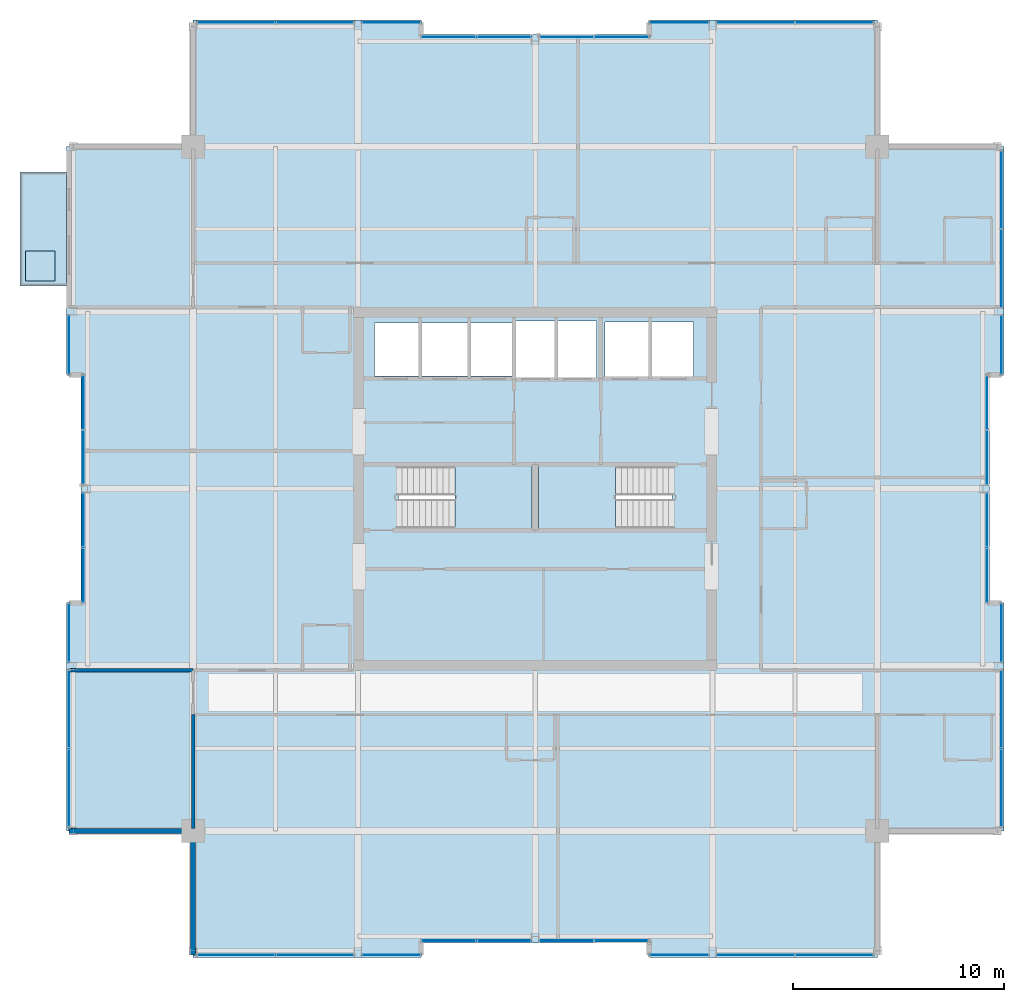
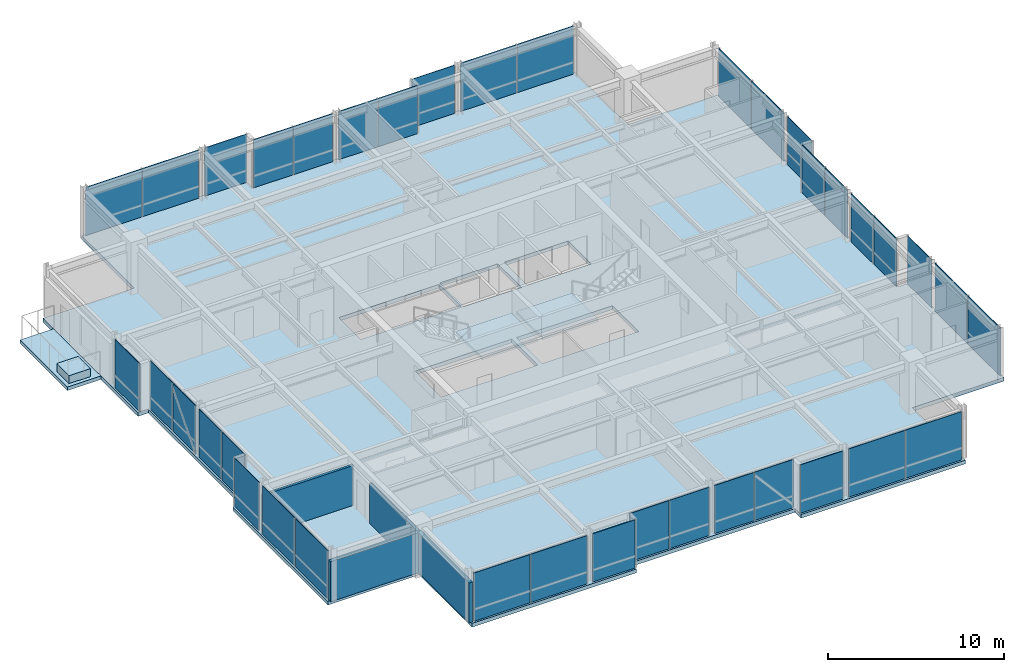
# One storey, part 27 of 33: 38 plates, 5 slabs, 4 walls, 25 elements without a shape of their own.
"""IFC4 building model written with IfcOpenShell, lengths in metres."""

from ifc_helpers import new_model, si_unit, direction, frame, frame_2d, origin, origin_2d, place, context, subcontext, project, spatial, polyline, rectangle, outline, extrude, material, layer, layer_set, type_object, element, aggregate, save


model = new_model("IFC4")

# Units and contexts
model_context = context("Model", 3, precision=1e-05, world=origin(), true_north=direction((0.0, 1.0)))
body_context = subcontext(model_context, "Body", "Model", "MODEL_VIEW")
ifc_project = project(units=[si_unit("LENGTHUNIT", "METRE"), si_unit("AREAUNIT", "SQUARE_METRE"), si_unit("VOLUMEUNIT", "CUBIC_METRE"), si_unit("PLANEANGLEUNIT", "RADIAN"), si_unit("MASSUNIT", "GRAM", prefix="KILO")], contexts=[model_context])

# Site, building, storey
site_placement = place(None, origin())
site = spatial("IfcSite", under=ifc_project, at=site_placement, CompositionType="ELEMENT")
building_placement = place(site_placement, origin())
building = spatial("IfcBuilding", under=site, at=building_placement, Name="Drelvath Grand Hotel", CompositionType="ELEMENT")
storey_placement = place(building_placement, frame((0.0, 0.0, 279.60009765625)))
storey = spatial("IfcBuildingStorey", under=building, at=storey_placement, Name="L73", CompositionType="ELEMENT", Elevation=279.60009765625)

# Slabs
ifc_material_1 = material(Name="Concrete f'c 40 MPa", Category="concrete")
ifc_layer_1 = layer(ifc_material_1, 0.239990234375)
ifc_layer_set_1 = layer_set([ifc_layer_1], Name="Concrete f'c 40 MPa")
slab_type_1 = type_object("IfcSlabType", Name="Cantilevered Tree Balcony Slab 240", PredefinedType="FLOOR", material=ifc_layer_set_1)
slab_1_placement = place(storey_placement, frame((0.0, 0.0, -0.239990234375)))
element("IfcSlab", 1, at=slab_1_placement, inside=storey, type_object=slab_type_1, Name="L73 Cantilevered Tree Balcony Slab 1", PredefinedType="FLOOR", context=body_context, shape_type="SweptSolid", body=[
    extrude(outline(polyline([(-24.39990234375, 36.60009765625), (-22.199951171875, 36.60009765625), (-22.199951171875, 42.0), (-24.39990234375, 42.0), (-24.39990234375, 36.60009765625)])), origin(), (0.0, 0.0, 1.0), 0.239990234375),
])
ifc_layer_2 = layer(ifc_material_1, 0.260009765625)
ifc_layer_set_2 = layer_set([ifc_layer_2], Name="Concrete f'c 40 MPa")
slab_type_2 = type_object("IfcSlabType", Name="Composite RC Floor Slab 260", PredefinedType="FLOOR", material=ifc_layer_set_2)
slab_2_placement = place(storey_placement, frame((0.0, 0.0, -0.260009765625)))
element("IfcSlab", 2, at=slab_2_placement, inside=storey, type_object=slab_type_2, Name="L73 Structural Floor Slab", PredefinedType="FLOOR", context=body_context, shape_type="SweptSolid", body=[
    extrude(outline(polyline([(-16.199951171875, 4.800048828125), (-5.39990234375, 4.800048828125), (-5.39990234375, 5.47998046875), (5.39990234375, 5.47998046875), (5.39990234375, 4.800048828125), (16.199951171875, 4.800048828125), (16.199951171875, 10.800048828125), (22.199951171875, 10.800048828125), (22.199951171875, 21.60009765625), (21.52001953125, 21.60009765625), (21.52001953125, 32.39990234375), (22.199951171875, 32.39990234375), (22.199951171875, 43.199951171875), (16.199951171875, 43.199951171875), (16.199951171875, 49.199951171875), (5.39990234375, 49.199951171875), (5.39990234375, 48.52001953125), (-5.39990234375, 48.52001953125), (-5.39990234375, 49.199951171875), (-16.199951171875, 49.199951171875), (-16.199951171875, 43.199951171875), (-22.199951171875, 43.199951171875), (-22.199951171875, 32.39990234375), (-21.52001953125, 32.39990234375), (-21.52001953125, 21.60009765625), (-22.199951171875, 21.60009765625), (-22.199951171875, 10.800048828125), (-16.199951171875, 10.800048828125), (-16.199951171875, 4.800048828125)]), holes=[polyline([(-6.47998046875, 25.1201171875), (-6.47998046875, 28.080078125), (-0.14990234375, 28.080078125), (-0.14990234375, 25.1201171875), (-6.47998046875, 25.1201171875)]), polyline([(0.14990234375, 25.1201171875), (0.14990234375, 28.080078125), (6.47998046875, 28.080078125), (6.47998046875, 25.1201171875), (0.14990234375, 25.1201171875)]), polyline([(-7.60009765625, 32.35009765625), (-7.60009765625, 34.85009765625), (-1.02001953125, 34.85009765625), (-1.02001953125, 32.35009765625), (-7.60009765625, 32.35009765625)]), polyline([(-0.89990234375, 32.25), (-0.89990234375, 34.949951171875), (2.89990234375, 34.949951171875), (2.89990234375, 32.25), (-0.89990234375, 32.25)]), polyline([(3.300048828125, 32.300048828125), (3.300048828125, 34.89990234375), (7.5, 34.89990234375), (7.5, 32.300048828125), (3.300048828125, 32.300048828125)])]), origin(), (0.0, 0.0, 1.0), 0.260009765625),
])

# Stair, slab
ifc_material_2 = material(Name="Concrete C40/50", Category="concrete")
stair_type = type_object("IfcStairType", Name="Dogleg Exit Stair W1400-R165.9", PredefinedType="HALF_TURN_STAIR", material=ifc_material_2)
stair_1_placement = place(storey_placement, origin())
stair_1 = element("IfcStair", 3, at=stair_1_placement, inside=storey, type_object=stair_type, Name="L73 Core Exit Stair ST-1", PredefinedType="HALF_TURN_STAIR")
ifc_layer_3 = layer(ifc_material_2, 0.199951171875)
ifc_layer_set_3 = layer_set([ifc_layer_3], Name="Concrete C40/50")
slab_type_3 = type_object("IfcSlabType", Name="Concrete Stair Landing Slab 200", PredefinedType="LANDING", material=ifc_layer_set_3)
slab_3_placement = place(storey_placement, frame((0.0, 0.0, 1.625)))
slab_3 = element("IfcSlab", 4, at=slab_3_placement, type_object=slab_type_3, Name="ST-1 landing 1", PredefinedType="LANDING", context=body_context, shape_type="SweptSolid", body=[
    extrude(outline(polyline([(-3.800048828125, 25.1201171875), (-0.14990234375, 25.1201171875), (-0.14990234375, 28.080078125), (-3.800048828125, 28.080078125), (-3.800048828125, 25.1201171875)])), origin(), (0.0, 0.0, 1.0), 0.199951171875),
])
aggregate(stair_1, [slab_3])

stair_2_placement = place(storey_placement, origin())
stair_2 = element("IfcStair", 5, at=stair_2_placement, inside=storey, type_object=stair_type, Name="L73 Core Exit Stair ST-2", PredefinedType="HALF_TURN_STAIR")
slab_4_placement = place(storey_placement, frame((0.0, 0.0, 1.625)))
slab_4 = element("IfcSlab", 6, at=slab_4_placement, type_object=slab_type_3, Name="ST-2 landing 1", PredefinedType="LANDING", context=body_context, shape_type="SweptSolid", body=[
    extrude(outline(polyline([(3.800048828125, 28.080078125), (0.14990234375, 28.080078125), (0.14990234375, 25.1201171875), (3.800048828125, 25.1201171875), (3.800048828125, 28.080078125)])), origin(), (0.0, 0.0, 1.0), 0.199951171875),
])
aggregate(stair_2, [slab_4])

# Curtain wall, plates
ifc_material_3 = material(Name="Platinum-Mist Anodised Aluminium Frame", Category="aluminium")
ifc_layer_4 = layer(ifc_material_3, 0.199951171875)
ifc_layer_set_4 = layer_set([ifc_layer_4], Name="Platinum-Mist Anodised Aluminium Frame")
curtain_wall_type = type_object("IfcCurtainWallType", Name="Stick Curtain Wall CW-05 Platinum Mist High-Rise", PredefinedType="NOTDEFINED", material=ifc_layer_set_4)
curtain_wall_1_placement = place(storey_placement, origin())
curtain_wall_1 = element("IfcCurtainWall", 7, at=curtain_wall_1_placement, inside=storey, type_object=curtain_wall_type, Name="L73 CW-05 Curtain Wall CW05-L73-WS1", PredefinedType="NOTDEFINED")
ifc_material_4 = material(Name="Low-E Triple Silver High-Altitude Glass", Category="glass")
ifc_layer_5 = layer(ifc_material_4, 0.035888671875)
ifc_layer_set_5 = layer_set([ifc_layer_5], Name="Low-E Triple Silver High-Altitude Glass")
plate_type = type_object("IfcPlateType", Name="Curtain Wall Vision Panel CW-05 36mm", PredefinedType="CURTAIN_PANEL", material=ifc_layer_set_5)
plate_1_placement = place(storey_placement, frame((-22.080078125, 12.835205078125, 0.019775390625), z_axis=(0.0, 0.0, 1.0), x_axis=(0.0, 1.0, 0.0)))
plate_1 = element("IfcPlate", 8, at=plate_1_placement, type_object=plate_type, Name="CW05-L73-WS1 Glazed Panel 1", PredefinedType="CURTAIN_PANEL", context=body_context, shape_type="SweptSolid", body=[
    extrude(rectangle(XDim=3.68994140625, YDim=0.035888671875, at=origin_2d()), origin(), (0.0, 0.0, 1.0), 3.35009765625),
])
plate_2_placement = place(storey_placement, frame((-22.080078125, 16.56494140625, 0.019775390625), z_axis=(0.0, 0.0, 1.0), x_axis=(0.0, 1.0, 0.0)))
plate_2 = element("IfcPlate", 9, at=plate_2_placement, type_object=plate_type, Name="CW05-L73-WS1 Glazed Panel 2", PredefinedType="CURTAIN_PANEL", context=body_context, shape_type="SweptSolid", body=[
    extrude(rectangle(XDim=3.68994140625, YDim=0.035888671875, at=origin_2d()), origin(), (0.0, 0.0, 1.0), 3.35009765625),
])
aggregate(curtain_wall_1, [plate_1, plate_2])

# Curtain wall, plate
curtain_wall_2_placement = place(storey_placement, origin())
curtain_wall_2 = element("IfcCurtainWall", 10, at=curtain_wall_2_placement, inside=storey, type_object=curtain_wall_type, Name="L73 CW-05 Curtain Wall CW05-L73-WS2", PredefinedType="NOTDEFINED")
plate_3_placement = place(storey_placement, frame((-22.080078125, 20.18505859375, 0.019775390625), z_axis=(0.0, 0.0, 1.0), x_axis=(0.0, 1.0, 0.0)))
plate_3 = element("IfcPlate", 11, at=plate_3_placement, type_object=plate_type, Name="CW05-L73-WS2 Glazed Panel 1", PredefinedType="CURTAIN_PANEL", context=body_context, shape_type="SweptSolid", body=[
    extrude(rectangle(XDim=2.789794921875, YDim=0.035888671875, at=origin_2d()), origin(), (0.0, 0.0, 1.0), 3.35009765625),
])
aggregate(curtain_wall_2, [plate_3])

# Curtain wall, plates
curtain_wall_3_placement = place(storey_placement, origin())
curtain_wall_3 = element("IfcCurtainWall", 12, at=curtain_wall_3_placement, inside=storey, type_object=curtain_wall_type, Name="L73 CW-05 Curtain Wall CW05-L73-WM1", PredefinedType="NOTDEFINED")
plate_4_placement = place(storey_placement, frame((-21.39990234375, 22.907470703125, 0.019775390625), z_axis=(0.0, 0.0, 1.0), x_axis=(0.0, 1.0, 0.0)))
plate_4 = element("IfcPlate", 13, at=plate_4_placement, type_object=plate_type, Name="CW05-L73-WM1 Glazed Panel 1", PredefinedType="CURTAIN_PANEL", context=body_context, shape_type="SweptSolid", body=[
    extrude(rectangle(XDim=2.574951171875, YDim=0.035888671875, at=origin_2d()), origin(), (0.0, 0.0, 1.0), 3.35009765625),
])
plate_5_placement = place(storey_placement, frame((-21.39990234375, 25.5224609375, 0.019775390625), z_axis=(0.0, 0.0, 1.0), x_axis=(0.0, 1.0, 0.0)))
plate_5 = element("IfcPlate", 14, at=plate_5_placement, type_object=plate_type, Name="CW05-L73-WM1 Glazed Panel 2", PredefinedType="CURTAIN_PANEL", context=body_context, shape_type="SweptSolid", body=[
    extrude(rectangle(XDim=2.574951171875, YDim=0.035888671875, at=origin_2d()), origin(), (0.0, 0.0, 1.0), 3.35009765625),
])
aggregate(curtain_wall_3, [plate_4, plate_5])

curtain_wall_4_placement = place(storey_placement, origin())
curtain_wall_4 = element("IfcCurtainWall", 15, at=curtain_wall_4_placement, inside=storey, type_object=curtain_wall_type, Name="L73 CW-05 Curtain Wall CW05-L73-WM2", PredefinedType="NOTDEFINED")
plate_6_placement = place(storey_placement, frame((-21.39990234375, 28.4775390625, 0.019775390625), z_axis=(0.0, 0.0, 1.0), x_axis=(0.0, 1.0, 0.0)))
plate_6 = element("IfcPlate", 16, at=plate_6_placement, type_object=plate_type, Name="CW05-L73-WM2 Glazed Panel 1", PredefinedType="CURTAIN_PANEL", context=body_context, shape_type="SweptSolid", body=[
    extrude(rectangle(XDim=2.574951171875, YDim=0.035888671875, at=origin_2d()), origin(), (0.0, 0.0, 1.0), 3.35009765625),
])
plate_7_placement = place(storey_placement, frame((-21.39990234375, 31.092529296875, 0.019775390625), z_axis=(0.0, 0.0, 1.0), x_axis=(0.0, 1.0, 0.0)))
plate_7 = element("IfcPlate", 17, at=plate_7_placement, type_object=plate_type, Name="CW05-L73-WM2 Glazed Panel 2", PredefinedType="CURTAIN_PANEL", context=body_context, shape_type="SweptSolid", body=[
    extrude(rectangle(XDim=2.574951171875, YDim=0.035888671875, at=origin_2d()), origin(), (0.0, 0.0, 1.0), 3.35009765625),
])
aggregate(curtain_wall_4, [plate_6, plate_7])

# Curtain wall, plate
curtain_wall_5_placement = place(storey_placement, origin())
curtain_wall_5 = element("IfcCurtainWall", 18, at=curtain_wall_5_placement, inside=storey, type_object=curtain_wall_type, Name="L73 CW-05 Curtain Wall CW05-L73-WN1", PredefinedType="NOTDEFINED")
plate_8_placement = place(storey_placement, frame((-22.080078125, 33.81494140625, 0.019775390625), z_axis=(0.0, 0.0, 1.0), x_axis=(0.0, 1.0, 0.0)))
plate_8 = element("IfcPlate", 19, at=plate_8_placement, type_object=plate_type, Name="CW05-L73-WN1 Glazed Panel 1", PredefinedType="CURTAIN_PANEL", context=body_context, shape_type="SweptSolid", body=[
    extrude(rectangle(XDim=2.7900390625, YDim=0.035888671875, at=origin_2d()), origin(), (0.0, 0.0, 1.0), 3.35009765625),
])
aggregate(curtain_wall_5, [plate_8])

curtain_wall_6_placement = place(storey_placement, origin())
curtain_wall_6 = element("IfcCurtainWall", 20, at=curtain_wall_6_placement, inside=storey, type_object=curtain_wall_type, Name="L73 CW-05 Curtain Wall CW05-L73-EN1", PredefinedType="NOTDEFINED")
plate_9_placement = place(storey_placement, frame((22.080078125, 33.81494140625, 0.019775390625), z_axis=(0.0, 0.0, 1.0), x_axis=(0.0, -1.0, 0.0)))
plate_9 = element("IfcPlate", 21, at=plate_9_placement, type_object=plate_type, Name="CW05-L73-EN1 Glazed Panel 1", PredefinedType="CURTAIN_PANEL", context=body_context, shape_type="SweptSolid", body=[
    extrude(rectangle(XDim=2.7900390625, YDim=0.035888671875, at=origin_2d()), origin(), (0.0, 0.0, 1.0), 3.35009765625),
])
aggregate(curtain_wall_6, [plate_9])

# Curtain wall, plates
curtain_wall_7_placement = place(storey_placement, origin())
curtain_wall_7 = element("IfcCurtainWall", 22, at=curtain_wall_7_placement, inside=storey, type_object=curtain_wall_type, Name="L73 CW-05 Curtain Wall CW05-L73-EN2", PredefinedType="NOTDEFINED")
plate_10_placement = place(storey_placement, frame((22.080078125, 41.1650390625, 0.019775390625), z_axis=(0.0, 0.0, 1.0), x_axis=(0.0, -1.0, 0.0)))
plate_10 = element("IfcPlate", 23, at=plate_10_placement, type_object=plate_type, Name="CW05-L73-EN2 Glazed Panel 1", PredefinedType="CURTAIN_PANEL", context=body_context, shape_type="SweptSolid", body=[
    extrude(rectangle(XDim=3.68994140625, YDim=0.035888671875, at=origin_2d()), origin(), (0.0, 0.0, 1.0), 3.35009765625),
])
plate_11_placement = place(storey_placement, frame((22.080078125, 37.43505859375, 0.019775390625), z_axis=(0.0, 0.0, 1.0), x_axis=(0.0, -1.0, 0.0)))
plate_11 = element("IfcPlate", 24, at=plate_11_placement, type_object=plate_type, Name="CW05-L73-EN2 Glazed Panel 2", PredefinedType="CURTAIN_PANEL", context=body_context, shape_type="SweptSolid", body=[
    extrude(rectangle(XDim=3.68994140625, YDim=0.035888671875, at=origin_2d()), origin(), (0.0, 0.0, 1.0), 3.35009765625),
])
aggregate(curtain_wall_7, [plate_10, plate_11])

curtain_wall_8_placement = place(storey_placement, origin())
curtain_wall_8 = element("IfcCurtainWall", 25, at=curtain_wall_8_placement, inside=storey, type_object=curtain_wall_type, Name="L73 CW-05 Curtain Wall CW05-L73-EM1", PredefinedType="NOTDEFINED")
plate_12_placement = place(storey_placement, frame((21.39990234375, 25.5224609375, 0.019775390625), z_axis=(0.0, 0.0, 1.0), x_axis=(0.0, -1.0, 0.0)))
plate_12 = element("IfcPlate", 26, at=plate_12_placement, type_object=plate_type, Name="CW05-L73-EM1 Glazed Panel 1", PredefinedType="CURTAIN_PANEL", context=body_context, shape_type="SweptSolid", body=[
    extrude(rectangle(XDim=2.574951171875, YDim=0.035888671875, at=origin_2d()), origin(), (0.0, 0.0, 1.0), 3.35009765625),
])
plate_13_placement = place(storey_placement, frame((21.39990234375, 22.907470703125, 0.019775390625), z_axis=(0.0, 0.0, 1.0), x_axis=(0.0, -1.0, 0.0)))
plate_13 = element("IfcPlate", 27, at=plate_13_placement, type_object=plate_type, Name="CW05-L73-EM1 Glazed Panel 2", PredefinedType="CURTAIN_PANEL", context=body_context, shape_type="SweptSolid", body=[
    extrude(rectangle(XDim=2.574951171875, YDim=0.035888671875, at=origin_2d()), origin(), (0.0, 0.0, 1.0), 3.35009765625),
])
aggregate(curtain_wall_8, [plate_12, plate_13])

curtain_wall_9_placement = place(storey_placement, origin())
curtain_wall_9 = element("IfcCurtainWall", 28, at=curtain_wall_9_placement, inside=storey, type_object=curtain_wall_type, Name="L73 CW-05 Curtain Wall CW05-L73-EM2", PredefinedType="NOTDEFINED")
plate_14_placement = place(storey_placement, frame((21.39990234375, 31.092529296875, 0.019775390625), z_axis=(0.0, 0.0, 1.0), x_axis=(0.0, -1.0, 0.0)))
plate_14 = element("IfcPlate", 29, at=plate_14_placement, type_object=plate_type, Name="CW05-L73-EM2 Glazed Panel 1", PredefinedType="CURTAIN_PANEL", context=body_context, shape_type="SweptSolid", body=[
    extrude(rectangle(XDim=2.574951171875, YDim=0.035888671875, at=origin_2d()), origin(), (0.0, 0.0, 1.0), 3.35009765625),
])
plate_15_placement = place(storey_placement, frame((21.39990234375, 28.4775390625, 0.019775390625), z_axis=(0.0, 0.0, 1.0), x_axis=(0.0, -1.0, 0.0)))
plate_15 = element("IfcPlate", 30, at=plate_15_placement, type_object=plate_type, Name="CW05-L73-EM2 Glazed Panel 2", PredefinedType="CURTAIN_PANEL", context=body_context, shape_type="SweptSolid", body=[
    extrude(rectangle(XDim=2.574951171875, YDim=0.035888671875, at=origin_2d()), origin(), (0.0, 0.0, 1.0), 3.35009765625),
])
aggregate(curtain_wall_9, [plate_14, plate_15])

curtain_wall_10_placement = place(storey_placement, origin())
curtain_wall_10 = element("IfcCurtainWall", 31, at=curtain_wall_10_placement, inside=storey, type_object=curtain_wall_type, Name="L73 CW-05 Curtain Wall CW05-L73-ES1", PredefinedType="NOTDEFINED")
plate_16_placement = place(storey_placement, frame((22.080078125, 16.56494140625, 0.019775390625), z_axis=(0.0, 0.0, 1.0), x_axis=(0.0, -1.0, 0.0)))
plate_16 = element("IfcPlate", 32, at=plate_16_placement, type_object=plate_type, Name="CW05-L73-ES1 Glazed Panel 1", PredefinedType="CURTAIN_PANEL", context=body_context, shape_type="SweptSolid", body=[
    extrude(rectangle(XDim=3.68994140625, YDim=0.035888671875, at=origin_2d()), origin(), (0.0, 0.0, 1.0), 3.35009765625),
])
plate_17_placement = place(storey_placement, frame((22.080078125, 12.835205078125, 0.019775390625), z_axis=(0.0, 0.0, 1.0), x_axis=(0.0, -1.0, 0.0)))
plate_17 = element("IfcPlate", 33, at=plate_17_placement, type_object=plate_type, Name="CW05-L73-ES1 Glazed Panel 2", PredefinedType="CURTAIN_PANEL", context=body_context, shape_type="SweptSolid", body=[
    extrude(rectangle(XDim=3.68994140625, YDim=0.035888671875, at=origin_2d()), origin(), (0.0, 0.0, 1.0), 3.35009765625),
])
aggregate(curtain_wall_10, [plate_16, plate_17])

# Curtain wall, plate
curtain_wall_11_placement = place(storey_placement, origin())
curtain_wall_11 = element("IfcCurtainWall", 34, at=curtain_wall_11_placement, inside=storey, type_object=curtain_wall_type, Name="L73 CW-05 Curtain Wall CW05-L73-ES2", PredefinedType="NOTDEFINED")
plate_18_placement = place(storey_placement, frame((22.080078125, 20.18505859375, 0.019775390625), z_axis=(0.0, 0.0, 1.0), x_axis=(0.0, -1.0, 0.0)))
plate_18 = element("IfcPlate", 35, at=plate_18_placement, type_object=plate_type, Name="CW05-L73-ES2 Glazed Panel 1", PredefinedType="CURTAIN_PANEL", context=body_context, shape_type="SweptSolid", body=[
    extrude(rectangle(XDim=2.789794921875, YDim=0.035888671875, at=origin_2d()), origin(), (0.0, 0.0, 1.0), 3.35009765625),
])
aggregate(curtain_wall_11, [plate_18])

# Curtain wall, plates
curtain_wall_12_placement = place(storey_placement, origin())
curtain_wall_12 = element("IfcCurtainWall", 36, at=curtain_wall_12_placement, inside=storey, type_object=curtain_wall_type, Name="L73 CW-05 Curtain Wall CW05-L73-NW1", PredefinedType="NOTDEFINED")
plate_19_placement = place(storey_placement, frame((-14.1650390625, 49.080078125, 0.019775390625), z_axis=(0.0, 0.0, 1.0), x_axis=(1.0, 0.0, 0.0)))
plate_19 = element("IfcPlate", 37, at=plate_19_placement, type_object=plate_type, Name="CW05-L73-NW1 Glazed Panel 1", PredefinedType="CURTAIN_PANEL", context=body_context, shape_type="SweptSolid", body=[
    extrude(rectangle(XDim=3.68994140625, YDim=0.035888671875, at=origin_2d()), origin(), (0.0, 0.0, 1.0), 3.35009765625),
])
plate_20_placement = place(storey_placement, frame((-10.43505859375, 49.080078125, 0.019775390625), z_axis=(0.0, 0.0, 1.0), x_axis=(1.0, 0.0, 0.0)))
plate_20 = element("IfcPlate", 38, at=plate_20_placement, type_object=plate_type, Name="CW05-L73-NW1 Glazed Panel 2", PredefinedType="CURTAIN_PANEL", context=body_context, shape_type="SweptSolid", body=[
    extrude(rectangle(XDim=3.68994140625, YDim=0.035888671875, at=origin_2d()), origin(), (0.0, 0.0, 1.0), 3.35009765625),
])
aggregate(curtain_wall_12, [plate_19, plate_20])

# Curtain wall, plate
curtain_wall_13_placement = place(storey_placement, origin())
curtain_wall_13 = element("IfcCurtainWall", 39, at=curtain_wall_13_placement, inside=storey, type_object=curtain_wall_type, Name="L73 CW-05 Curtain Wall CW05-L73-NW2", PredefinedType="NOTDEFINED")
plate_21_placement = place(storey_placement, frame((-6.81494140625, 49.080078125, 0.019775390625), z_axis=(0.0, 0.0, 1.0), x_axis=(1.0, 0.0, 0.0)))
plate_21 = element("IfcPlate", 40, at=plate_21_placement, type_object=plate_type, Name="CW05-L73-NW2 Glazed Panel 1", PredefinedType="CURTAIN_PANEL", context=body_context, shape_type="SweptSolid", body=[
    extrude(rectangle(XDim=2.789794921875, YDim=0.035888671875, at=origin_2d()), origin(), (0.0, 0.0, 1.0), 3.35009765625),
])
aggregate(curtain_wall_13, [plate_21])

# Curtain wall, plates
curtain_wall_14_placement = place(storey_placement, origin())
curtain_wall_14 = element("IfcCurtainWall", 41, at=curtain_wall_14_placement, inside=storey, type_object=curtain_wall_type, Name="L73 CW-05 Curtain Wall CW05-L73-NM1", PredefinedType="NOTDEFINED")
plate_22_placement = place(storey_placement, frame((-4.092529296875, 48.39990234375, 0.019775390625), z_axis=(0.0, 0.0, 1.0), x_axis=(1.0, 0.0, 0.0)))
plate_22 = element("IfcPlate", 42, at=plate_22_placement, type_object=plate_type, Name="CW05-L73-NM1 Glazed Panel 1", PredefinedType="CURTAIN_PANEL", context=body_context, shape_type="SweptSolid", body=[
    extrude(rectangle(XDim=2.574951171875, YDim=0.035888671875, at=origin_2d()), origin(), (0.0, 0.0, 1.0), 3.35009765625),
])
plate_23_placement = place(storey_placement, frame((-1.4775390625, 48.39990234375, 0.019775390625), z_axis=(0.0, 0.0, 1.0), x_axis=(1.0, 0.0, 0.0)))
plate_23 = element("IfcPlate", 43, at=plate_23_placement, type_object=plate_type, Name="CW05-L73-NM1 Glazed Panel 2", PredefinedType="CURTAIN_PANEL", context=body_context, shape_type="SweptSolid", body=[
    extrude(rectangle(XDim=2.574951171875, YDim=0.035888671875, at=origin_2d()), origin(), (0.0, 0.0, 1.0), 3.35009765625),
])
aggregate(curtain_wall_14, [plate_22, plate_23])

curtain_wall_15_placement = place(storey_placement, origin())
curtain_wall_15 = element("IfcCurtainWall", 44, at=curtain_wall_15_placement, inside=storey, type_object=curtain_wall_type, Name="L73 CW-05 Curtain Wall CW05-L73-NM2", PredefinedType="NOTDEFINED")
plate_24_placement = place(storey_placement, frame((1.4775390625, 48.39990234375, 0.019775390625), z_axis=(0.0, 0.0, 1.0), x_axis=(1.0, 0.0, 0.0)))
plate_24 = element("IfcPlate", 45, at=plate_24_placement, type_object=plate_type, Name="CW05-L73-NM2 Glazed Panel 1", PredefinedType="CURTAIN_PANEL", context=body_context, shape_type="SweptSolid", body=[
    extrude(rectangle(XDim=2.574951171875, YDim=0.035888671875, at=origin_2d()), origin(), (0.0, 0.0, 1.0), 3.35009765625),
])
plate_25_placement = place(storey_placement, frame((4.092529296875, 48.39990234375, 0.019775390625), z_axis=(0.0, 0.0, 1.0), x_axis=(1.0, 0.0, 0.0)))
plate_25 = element("IfcPlate", 46, at=plate_25_placement, type_object=plate_type, Name="CW05-L73-NM2 Glazed Panel 2", PredefinedType="CURTAIN_PANEL", context=body_context, shape_type="SweptSolid", body=[
    extrude(rectangle(XDim=2.574951171875, YDim=0.035888671875, at=origin_2d()), origin(), (0.0, 0.0, 1.0), 3.35009765625),
])
aggregate(curtain_wall_15, [plate_24, plate_25])

# Curtain wall, plate
curtain_wall_16_placement = place(storey_placement, origin())
curtain_wall_16 = element("IfcCurtainWall", 47, at=curtain_wall_16_placement, inside=storey, type_object=curtain_wall_type, Name="L73 CW-05 Curtain Wall CW05-L73-NE1", PredefinedType="NOTDEFINED")
plate_26_placement = place(storey_placement, frame((6.81494140625, 49.080078125, 0.019775390625), z_axis=(0.0, 0.0, 1.0), x_axis=(1.0, 0.0, 0.0)))
plate_26 = element("IfcPlate", 48, at=plate_26_placement, type_object=plate_type, Name="CW05-L73-NE1 Glazed Panel 1", PredefinedType="CURTAIN_PANEL", context=body_context, shape_type="SweptSolid", body=[
    extrude(rectangle(XDim=2.789794921875, YDim=0.035888671875, at=origin_2d()), origin(), (0.0, 0.0, 1.0), 3.35009765625),
])
aggregate(curtain_wall_16, [plate_26])

# Curtain wall, plates
curtain_wall_17_placement = place(storey_placement, origin())
curtain_wall_17 = element("IfcCurtainWall", 49, at=curtain_wall_17_placement, inside=storey, type_object=curtain_wall_type, Name="L73 CW-05 Curtain Wall CW05-L73-NE2", PredefinedType="NOTDEFINED")
plate_27_placement = place(storey_placement, frame((10.43505859375, 49.080078125, 0.019775390625), z_axis=(0.0, 0.0, 1.0), x_axis=(1.0, 0.0, 0.0)))
plate_27 = element("IfcPlate", 50, at=plate_27_placement, type_object=plate_type, Name="CW05-L73-NE2 Glazed Panel 1", PredefinedType="CURTAIN_PANEL", context=body_context, shape_type="SweptSolid", body=[
    extrude(rectangle(XDim=3.68994140625, YDim=0.035888671875, at=origin_2d()), origin(), (0.0, 0.0, 1.0), 3.35009765625),
])
plate_28_placement = place(storey_placement, frame((14.1650390625, 49.080078125, 0.019775390625), z_axis=(0.0, 0.0, 1.0), x_axis=(1.0, 0.0, 0.0)))
plate_28 = element("IfcPlate", 51, at=plate_28_placement, type_object=plate_type, Name="CW05-L73-NE2 Glazed Panel 2", PredefinedType="CURTAIN_PANEL", context=body_context, shape_type="SweptSolid", body=[
    extrude(rectangle(XDim=3.68994140625, YDim=0.035888671875, at=origin_2d()), origin(), (0.0, 0.0, 1.0), 3.35009765625),
])
aggregate(curtain_wall_17, [plate_27, plate_28])

# Curtain wall, plate
curtain_wall_18_placement = place(storey_placement, origin())
curtain_wall_18 = element("IfcCurtainWall", 52, at=curtain_wall_18_placement, inside=storey, type_object=curtain_wall_type, Name="L73 CW-05 Curtain Wall CW05-L73-SE1", PredefinedType="NOTDEFINED")
plate_29_placement = place(storey_placement, frame((6.81494140625, 4.919921875, 0.019775390625), z_axis=(0.0, 0.0, 1.0), x_axis=(-1.0, 0.0, 0.0)))
plate_29 = element("IfcPlate", 53, at=plate_29_placement, type_object=plate_type, Name="CW05-L73-SE1 Glazed Panel 1", PredefinedType="CURTAIN_PANEL", context=body_context, shape_type="SweptSolid", body=[
    extrude(rectangle(XDim=2.789794921875, YDim=0.035888671875, at=origin_2d()), origin(), (0.0, 0.0, 1.0), 3.35009765625),
])
aggregate(curtain_wall_18, [plate_29])

# Curtain wall, plates
curtain_wall_19_placement = place(storey_placement, origin())
curtain_wall_19 = element("IfcCurtainWall", 54, at=curtain_wall_19_placement, inside=storey, type_object=curtain_wall_type, Name="L73 CW-05 Curtain Wall CW05-L73-SE2", PredefinedType="NOTDEFINED")
plate_30_placement = place(storey_placement, frame((14.1650390625, 4.919921875, 0.019775390625), z_axis=(0.0, 0.0, 1.0), x_axis=(-1.0, 0.0, 0.0)))
plate_30 = element("IfcPlate", 55, at=plate_30_placement, type_object=plate_type, Name="CW05-L73-SE2 Glazed Panel 1", PredefinedType="CURTAIN_PANEL", context=body_context, shape_type="SweptSolid", body=[
    extrude(rectangle(XDim=3.68994140625, YDim=0.035888671875, at=origin_2d()), origin(), (0.0, 0.0, 1.0), 3.35009765625),
])
plate_31_placement = place(storey_placement, frame((10.43505859375, 4.919921875, 0.019775390625), z_axis=(0.0, 0.0, 1.0), x_axis=(-1.0, 0.0, 0.0)))
plate_31 = element("IfcPlate", 56, at=plate_31_placement, type_object=plate_type, Name="CW05-L73-SE2 Glazed Panel 2", PredefinedType="CURTAIN_PANEL", context=body_context, shape_type="SweptSolid", body=[
    extrude(rectangle(XDim=3.68994140625, YDim=0.035888671875, at=origin_2d()), origin(), (0.0, 0.0, 1.0), 3.35009765625),
])
aggregate(curtain_wall_19, [plate_30, plate_31])

curtain_wall_20_placement = place(storey_placement, origin())
curtain_wall_20 = element("IfcCurtainWall", 57, at=curtain_wall_20_placement, inside=storey, type_object=curtain_wall_type, Name="L73 CW-05 Curtain Wall CW05-L73-SM1", PredefinedType="NOTDEFINED")
plate_32_placement = place(storey_placement, frame((-1.4775390625, 5.60009765625, 0.019775390625), z_axis=(0.0, 0.0, 1.0), x_axis=(-1.0, 0.0, 0.0)))
plate_32 = element("IfcPlate", 58, at=plate_32_placement, type_object=plate_type, Name="CW05-L73-SM1 Glazed Panel 1", PredefinedType="CURTAIN_PANEL", context=body_context, shape_type="SweptSolid", body=[
    extrude(rectangle(XDim=2.574951171875, YDim=0.035888671875, at=origin_2d()), origin(), (0.0, 0.0, 1.0), 3.35009765625),
])
plate_33_placement = place(storey_placement, frame((-4.092529296875, 5.60009765625, 0.019775390625), z_axis=(0.0, 0.0, 1.0), x_axis=(-1.0, 0.0, 0.0)))
plate_33 = element("IfcPlate", 59, at=plate_33_placement, type_object=plate_type, Name="CW05-L73-SM1 Glazed Panel 2", PredefinedType="CURTAIN_PANEL", context=body_context, shape_type="SweptSolid", body=[
    extrude(rectangle(XDim=2.574951171875, YDim=0.035888671875, at=origin_2d()), origin(), (0.0, 0.0, 1.0), 3.35009765625),
])
aggregate(curtain_wall_20, [plate_32, plate_33])

curtain_wall_21_placement = place(storey_placement, origin())
curtain_wall_21 = element("IfcCurtainWall", 60, at=curtain_wall_21_placement, inside=storey, type_object=curtain_wall_type, Name="L73 CW-05 Curtain Wall CW05-L73-SM2", PredefinedType="NOTDEFINED")
plate_34_placement = place(storey_placement, frame((4.092529296875, 5.60009765625, 0.019775390625), z_axis=(0.0, 0.0, 1.0), x_axis=(-1.0, 0.0, 0.0)))
plate_34 = element("IfcPlate", 61, at=plate_34_placement, type_object=plate_type, Name="CW05-L73-SM2 Glazed Panel 1", PredefinedType="CURTAIN_PANEL", context=body_context, shape_type="SweptSolid", body=[
    extrude(rectangle(XDim=2.574951171875, YDim=0.035888671875, at=origin_2d()), origin(), (0.0, 0.0, 1.0), 3.35009765625),
])
plate_35_placement = place(storey_placement, frame((1.4775390625, 5.60009765625, 0.019775390625), z_axis=(0.0, 0.0, 1.0), x_axis=(-1.0, 0.0, 0.0)))
plate_35 = element("IfcPlate", 62, at=plate_35_placement, type_object=plate_type, Name="CW05-L73-SM2 Glazed Panel 2", PredefinedType="CURTAIN_PANEL", context=body_context, shape_type="SweptSolid", body=[
    extrude(rectangle(XDim=2.574951171875, YDim=0.035888671875, at=origin_2d()), origin(), (0.0, 0.0, 1.0), 3.35009765625),
])
aggregate(curtain_wall_21, [plate_34, plate_35])

curtain_wall_22_placement = place(storey_placement, origin())
curtain_wall_22 = element("IfcCurtainWall", 63, at=curtain_wall_22_placement, inside=storey, type_object=curtain_wall_type, Name="L73 CW-05 Curtain Wall CW05-L73-SW1", PredefinedType="NOTDEFINED")
plate_36_placement = place(storey_placement, frame((-10.43505859375, 4.919921875, 0.019775390625), z_axis=(0.0, 0.0, 1.0), x_axis=(-1.0, 0.0, 0.0)))
plate_36 = element("IfcPlate", 64, at=plate_36_placement, type_object=plate_type, Name="CW05-L73-SW1 Glazed Panel 1", PredefinedType="CURTAIN_PANEL", context=body_context, shape_type="SweptSolid", body=[
    extrude(rectangle(XDim=3.68994140625, YDim=0.035888671875, at=origin_2d()), origin(), (0.0, 0.0, 1.0), 3.35009765625),
])
plate_37_placement = place(storey_placement, frame((-14.1650390625, 4.919921875, 0.019775390625), z_axis=(0.0, 0.0, 1.0), x_axis=(-1.0, 0.0, 0.0)))
plate_37 = element("IfcPlate", 65, at=plate_37_placement, type_object=plate_type, Name="CW05-L73-SW1 Glazed Panel 2", PredefinedType="CURTAIN_PANEL", context=body_context, shape_type="SweptSolid", body=[
    extrude(rectangle(XDim=3.68994140625, YDim=0.035888671875, at=origin_2d()), origin(), (0.0, 0.0, 1.0), 3.35009765625),
])
aggregate(curtain_wall_22, [plate_36, plate_37])

# Curtain wall, plate
curtain_wall_23_placement = place(storey_placement, origin())
curtain_wall_23 = element("IfcCurtainWall", 66, at=curtain_wall_23_placement, inside=storey, type_object=curtain_wall_type, Name="L73 CW-05 Curtain Wall CW05-L73-SW2", PredefinedType="NOTDEFINED")
plate_38_placement = place(storey_placement, frame((-6.81494140625, 4.919921875, 0.019775390625), z_axis=(0.0, 0.0, 1.0), x_axis=(-1.0, 0.0, 0.0)))
plate_38 = element("IfcPlate", 67, at=plate_38_placement, type_object=plate_type, Name="CW05-L73-SW2 Glazed Panel 1", PredefinedType="CURTAIN_PANEL", context=body_context, shape_type="SweptSolid", body=[
    extrude(rectangle(XDim=2.789794921875, YDim=0.035888671875, at=origin_2d()), origin(), (0.0, 0.0, 1.0), 3.35009765625),
])
aggregate(curtain_wall_23, [plate_38])

# Slab
ifc_layer_6 = layer(ifc_material_1, 0.550048828125)
ifc_layer_set_6 = layer_set([ifc_layer_6], Name="Concrete f'c 40 MPa")
slab_type_4 = type_object("IfcSlabType", Name="Structural Tree Planter Box 550", PredefinedType="USERDEFINED", material=ifc_layer_set_6)
slab_5_placement = place(storey_placement, origin())
element("IfcSlab", 68, at=slab_5_placement, inside=storey, type_object=slab_type_4, Name="L73 Tree Balcony Structural Planter 1", ObjectType="PLANTER", PredefinedType="USERDEFINED", context=body_context, shape_type="SweptSolid", body=[
    extrude(outline(polyline([(-24.14990234375, 36.85009765625), (-22.75, 36.85009765625), (-22.75, 38.25), (-24.14990234375, 38.25), (-24.14990234375, 36.85009765625)])), origin(), (0.0, 0.0, 1.0), 0.5498046875),
])

# Walls
ifc_material_5 = material(Name="Gypsum Acoustic Partition")
ifc_layer_7 = layer(ifc_material_5, 0.1650390625)
ifc_layer_set_7 = layer_set([ifc_layer_7], Name="Gypsum Acoustic Partition")
wall_type_1 = type_object("IfcWallType", Name="Suite Demising Wall 165", PredefinedType="PARTITIONING", material=ifc_layer_set_7)
wall_1_placement = place(storey_placement, frame((-16.199951171875, 10.919921875, 0.0), z_axis=(0.0, 0.0, 1.0), x_axis=(0.0, 1.0, 0.0)))
element("IfcWall", 69, at=wall_1_placement, inside=storey, type_object=wall_type_1, Name="L73 SW Suite Wall", PredefinedType="PARTITIONING", context=body_context, shape_type="SweptSolid", body=[
    extrude(rectangle(XDim=5.380126953125, YDim=0.1650390625, at=frame_2d((2.68994140625, 0.0))), origin(), (0.0, 0.0, 1.0), 2.763916015625),
])
wall_2_placement = place(storey_placement, frame((-22.080078125, 18.39990234375, 0.0), z_axis=(0.0, 0.0, 1.0), x_axis=(1.0, 0.0, 0.0)))
element("IfcWall", 70, at=wall_2_placement, inside=storey, type_object=wall_type_1, Name="L73 SW Corner North Wall", PredefinedType="PARTITIONING", context=body_context, shape_type="SweptSolid", body=[
    extrude(rectangle(XDim=5.880126953125, YDim=0.1650390625, at=frame_2d((2.93994140625, 0.0))), origin(), (0.0, 0.0, 1.0), 2.763916015625),
])
ifc_material_6 = material(Name="Pale-Metal Insulated Aluminium Spandrel Assembly", Category="aluminium")
ifc_layer_8 = layer(ifc_material_6, 0.239990234375)
ifc_layer_set_8 = layer_set([ifc_layer_8], Name="Pale-Metal Insulated Aluminium Spandrel Assembly")
wall_type_2 = type_object("IfcWallType", Name="Tower Insulated Metal Spandrel Closure Wall 240", PredefinedType="STANDARD", material=ifc_layer_set_8)
for number, where, z_axis, x_axis, name in (
    (71, (-16.199951171875, 4.919921875, 0.0), (0.0, 0.0, 1.0), (0.0, 1.0, 0.0), "L73 Notched Corner Return Spandrel Wall CSW1"),
    (72, (-16.199951171875, 10.800048828125, 0.0), (0.0, 0.0, 1.0), (-1.0, 0.0, 0.0), "L73 Notched Corner Return Spandrel Wall CSW2"),
):
    element("IfcWall", number, at=place(storey_placement, frame(where, z_axis=z_axis, x_axis=x_axis)), inside=storey, type_object=wall_type_2, Name=name, PredefinedType="STANDARD", context=body_context, shape_type="SweptSolid", body=[
        extrude(rectangle(XDim=5.880126953125, YDim=0.239990234375, at=frame_2d((2.93994140625, 0.0))), origin(), (0.0, 0.0, 1.0), 2.77880859375),
    ])

save(model, "model.ifc")
